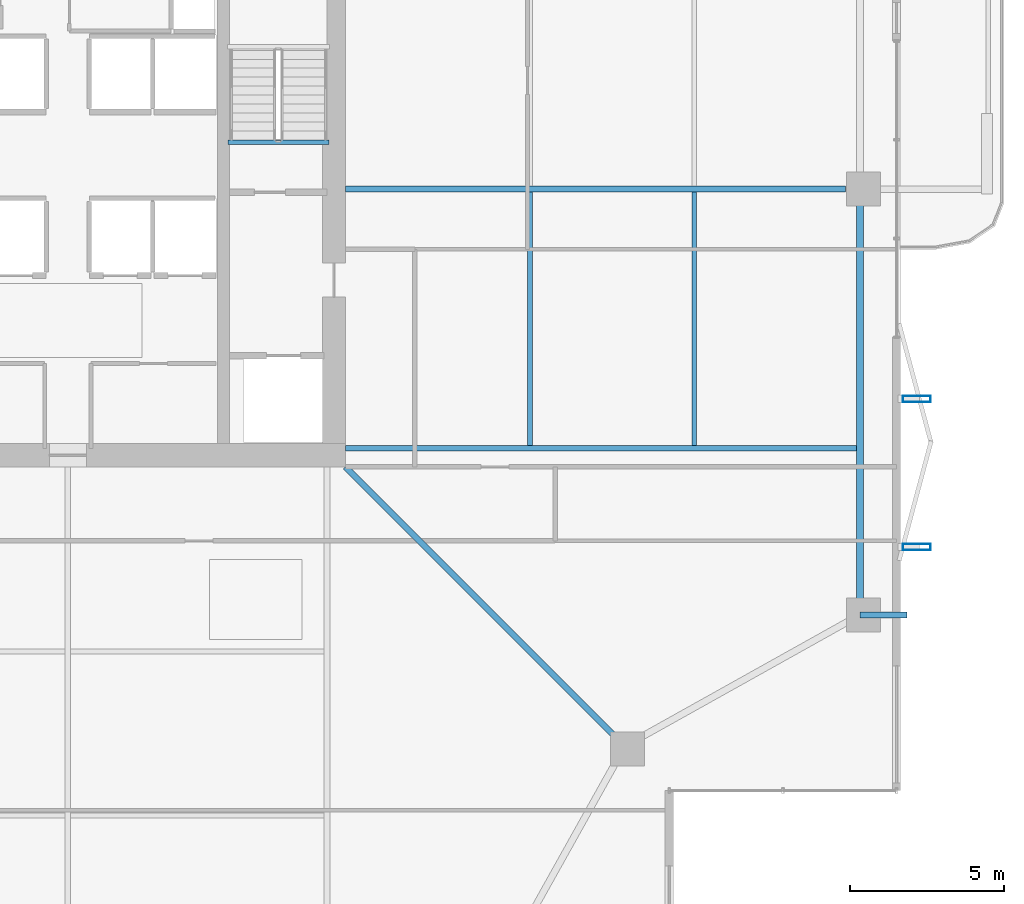
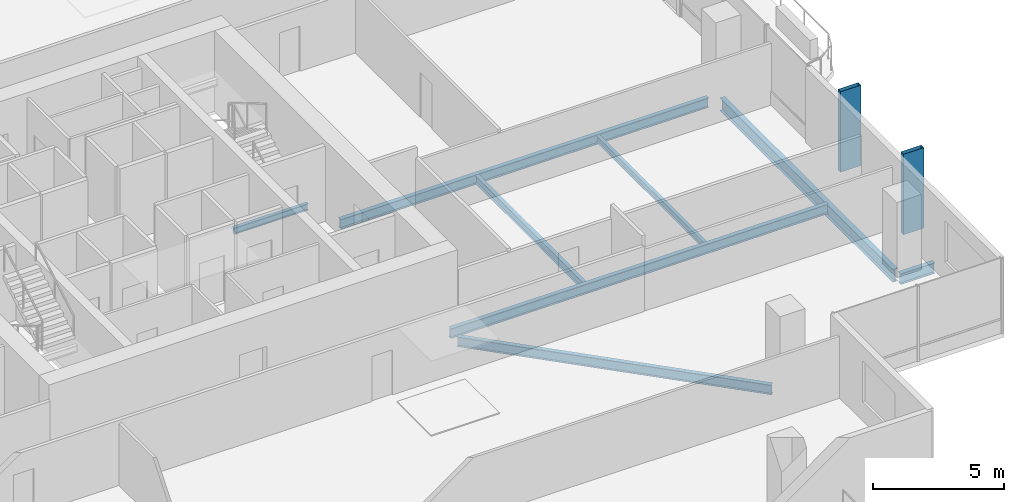
# One storey, part 10 of 29: 8 beams, 2 members.
"""IFC4 building model written with IfcOpenShell, lengths in metres."""

from ifc_helpers import new_model, si_unit, direction, frame, origin, origin_2d, place, context, subcontext, project, spatial, hollow_rectangle, i_section, extrude, material, material_profile, profile_set, type_object, element, save


model = new_model("IFC4")

# Units and contexts
model_context = context("Model", 3, precision=1e-05, world=origin(), true_north=direction((0.0, 1.0)))
body_context = subcontext(model_context, "Body", "Model", "MODEL_VIEW")
ifc_project = project(units=[si_unit("LENGTHUNIT", "METRE"), si_unit("AREAUNIT", "SQUARE_METRE"), si_unit("VOLUMEUNIT", "CUBIC_METRE"), si_unit("PLANEANGLEUNIT", "RADIAN"), si_unit("MASSUNIT", "GRAM", prefix="KILO")], contexts=[model_context])

# Site, building, storey
site_placement = place(None, origin())
site = spatial("IfcSite", under=ifc_project, at=site_placement, CompositionType="ELEMENT")
building_placement = place(site_placement, origin())
building = spatial("IfcBuilding", under=site, at=building_placement, Name="Belovzor Exchange Tower", CompositionType="ELEMENT")
storey_placement = place(building_placement, frame((0.0, 0.0, 199.949951171875)))
storey = spatial("IfcBuildingStorey", under=building, at=storey_placement, Name="L49", CompositionType="ELEMENT", Elevation=199.949951171875)

# Beams
ifc_material_1 = material(Name="Steel S355", Category="steel")
ifc_material_profile_1 = material_profile(ifc_material_1, i_section(OverallWidth=0.199951171875, OverallDepth=0.5, WebThickness=0.01025390625, FlangeThickness=0.01611328125, at=origin_2d()))
ifc_profile_set_1 = profile_set([ifc_material_profile_1], Name="Steel S355")
beam_type_1 = type_object("IfcBeamType", Name="Planted Balcony Cantilever Beam IPE 500", PredefinedType="BEAM", material=ifc_profile_set_1)
beam_1_placement = place(storey_placement, frame((54.489013671875, 15.0, -0.5), z_axis=(1.0, 0.0, 0.0), x_axis=(0.0, 1.0, 0.0)))
element("IfcBeam", 1, at=beam_1_placement, inside=storey, type_object=beam_type_1, Name="BC-500 Planted Balcony Cantilever Beam IPE 500", PredefinedType="BEAM", context=body_context, shape_type="SweptSolid", body=[
    extrude(i_section(OverallWidth=0.199951171875, OverallDepth=0.5, WebThickness=0.01025390625, FlangeThickness=0.01611328125, at=origin_2d()), origin(), (0.0, 0.0, 1.0), 1.510986328125),
])
ifc_material_2 = material(Name="Steel S355", Category="steel")
ifc_material_profile_2 = material_profile(ifc_material_2, i_section(OverallWidth=0.169921875, OverallDepth=0.360107421875, WebThickness=0.008056640625, FlangeThickness=0.0126953125, at=origin_2d()))
ifc_profile_set_2 = profile_set([ifc_material_profile_2], Name="Steel S355")
beam_type_2 = type_object("IfcBeamType", Name="Secondary Infill Floor Joist IPE 360", PredefinedType="BEAM", material=ifc_profile_set_2)
beam_2_placement = place(storey_placement, frame((43.783935546875, 20.4951171875, -0.429931640625), z_axis=(0.0, 1.0, 0.0), x_axis=(-1.0, 0.0, 0.0)))
element("IfcBeam", 2, at=beam_2_placement, inside=storey, type_object=beam_type_2, Name="FJ-360 Secondary Infill Floor Joist IPE 360", PredefinedType="BEAM", context=body_context, shape_type="SweptSolid", body=[
    extrude(i_section(OverallWidth=0.169921875, OverallDepth=0.360107421875, WebThickness=0.008056640625, FlangeThickness=0.0126953125, at=origin_2d()), origin(), (0.0, 0.0, 1.0), 8.2099609375),
])
ifc_material_3 = material(Name="Steel S355", Category="steel")
ifc_material_profile_3 = material_profile(ifc_material_3, i_section(OverallWidth=0.14990234375, OverallDepth=0.300048828125, WebThickness=0.007080078125, FlangeThickness=0.0107421875, at=origin_2d()))
ifc_profile_set_3 = profile_set([ifc_material_profile_3], Name="Steel S355")
beam_type_3 = type_object("IfcBeamType", Name="Secondary Trim Floor Joist IPE 300", PredefinedType="BEAM", material=ifc_profile_set_3)
beam_3_placement = place(storey_placement, frame((37.260009765625, 30.320068359375, -0.39990234375), z_axis=(-1.0, 0.0, 0.0), x_axis=(0.0, -1.0, 0.0)))
element("IfcBeam", 3, at=beam_3_placement, inside=storey, type_object=beam_type_3, Name="FJ-300 Secondary Trim Floor Joist IPE 300", PredefinedType="BEAM", context=body_context, shape_type="SweptSolid", body=[
    extrude(i_section(OverallWidth=0.14990234375, OverallDepth=0.300048828125, WebThickness=0.007080078125, FlangeThickness=0.0107421875, at=origin_2d()), origin(), (0.0, 0.0, 1.0), 3.27001953125),
])
beam_4_placement = place(storey_placement, frame((49.10400390625, 20.4951171875, -0.39990234375), z_axis=(0.0, 1.0, 0.0), x_axis=(-1.0, 0.0, 0.0)))
element("IfcBeam", 4, at=beam_4_placement, inside=storey, type_object=beam_type_3, Name="FJ-300 Secondary Trim Floor Joist IPE 300", PredefinedType="BEAM", context=body_context, shape_type="SweptSolid", body=[
    extrude(i_section(OverallWidth=0.14990234375, OverallDepth=0.300048828125, WebThickness=0.007080078125, FlangeThickness=0.0107421875, at=origin_2d()), origin(), (0.0, 0.0, 1.0), 8.2099609375),
])

# Members
ifc_material_4 = material(Name="Extruded Architectural Terracotta on Steel S355 Carrier", Category="masonry")
ifc_material_profile_4 = material_profile(ifc_material_4, hollow_rectangle(XDim=0.199951171875, YDim=0.89990234375, WallThickness=0.011962890625, at=origin_2d()))
ifc_profile_set_4 = profile_set([ifc_material_profile_4], Name="Extruded Architectural Terracotta on Steel S355 Carrier")
member_type = type_object("IfcMemberType", Name="Sweeping Terracotta Baguette Fin Assembly 950", PredefinedType="USERDEFINED", material=ifc_profile_set_4)
for number, where, z_axis, x_axis, name in (
    (5, (56.324951171875, 17.199951171875, -0.25), (0.0, 0.0, 1.0), (0.0, 1.0, 0.0), "FIN-TC095 Terracotta Facade Fin L49 E1"),
    (6, (56.324951171875, 22.0, -0.25), (0.0, 0.0, 1.0), (0.0, 1.0, 0.0), "FIN-TC095 Terracotta Facade Fin L49 E2"),
):
    element("IfcMember", number, at=place(storey_placement, frame(where, z_axis=z_axis, x_axis=x_axis)), inside=storey, type_object=member_type, Name=name, ObjectType="FIN", PredefinedType="USERDEFINED", context=body_context, shape_type="SweptSolid", body=[
        extrude(hollow_rectangle(XDim=0.199951171875, YDim=0.89990234375, WallThickness=0.011962890625, at=origin_2d()), origin(), (0.0, 0.0, 1.0), 3.75),
    ])

# Beams
ifc_material_5 = material(Name="Steel S355", Category="steel")
ifc_material_profile_5 = material_profile(ifc_material_5, i_section(OverallWidth=0.18994140625, OverallDepth=0.449951171875, WebThickness=0.009521484375, FlangeThickness=0.0146484375, at=origin_2d()))
ifc_profile_set_5 = profile_set([ifc_material_profile_5], Name="Steel S355")
beam_type_4 = type_object("IfcBeamType", Name="Zone 2-4 Radial Composite Floor Beam IPE 450", PredefinedType="BEAM", material=ifc_profile_set_5)
beam_5_placement = place(storey_placement, frame((37.800048828125, 20.39990234375, -0.474853515625), z_axis=(1.0, 0.0, 0.0), x_axis=(0.0, 1.0, 0.0)))
element("IfcBeam", 7, at=beam_5_placement, inside=storey, type_object=beam_type_4, Name="FB-450 Zone 2-4 Radial Composite Floor Beam IPE 450", PredefinedType="BEAM", context=body_context, shape_type="SweptSolid", body=[
    extrude(i_section(OverallWidth=0.18994140625, OverallDepth=0.449951171875, WebThickness=0.009521484375, FlangeThickness=0.0146484375, at=origin_2d()), origin(), (0.0, 0.0, 1.0), 16.623046875),
])
beam_6_placement = place(storey_placement, frame((37.800048828125, 28.800048828125, -0.474853515625), z_axis=(1.0, 0.0, 0.0), x_axis=(0.0, 1.0, 0.0)))
element("IfcBeam", 8, at=beam_6_placement, inside=storey, type_object=beam_type_4, Name="FB-450 Zone 2-4 Radial Composite Floor Beam IPE 450", PredefinedType="BEAM", context=body_context, shape_type="SweptSolid", body=[
    extrude(i_section(OverallWidth=0.18994140625, OverallDepth=0.449951171875, WebThickness=0.009521484375, FlangeThickness=0.0146484375, at=origin_2d()), origin(), (0.0, 0.0, 1.0), 16.2099609375),
])
beam_7_placement = place(storey_placement, frame((37.800048828125, 19.800048828125, -0.474853515625), z_axis=(0.707106781187, -0.707106781187, 0.0), x_axis=(0.707106781187, 0.707106781187, 0.0)))
element("IfcBeam", 9, at=beam_7_placement, inside=storey, type_object=beam_type_4, Name="FB-450 Zone 2-4 Radial Composite Floor Beam IPE 450", PredefinedType="BEAM", context=body_context, shape_type="SweptSolid", body=[
    extrude(i_section(OverallWidth=0.18994140625, OverallDepth=0.449951171875, WebThickness=0.009521484375, FlangeThickness=0.0146484375, at=origin_2d()), origin(), (0.0, 0.0, 1.0), 12.4208984375),
])
ifc_material_6 = material(Name="Steel S355", Category="steel")
ifc_material_profile_6 = material_profile(ifc_material_6, i_section(OverallWidth=0.219970703125, OverallDepth=0.60009765625, WebThickness=0.011962890625, FlangeThickness=0.01904296875, at=origin_2d()))
ifc_profile_set_6 = profile_set([ifc_material_profile_6], Name="Steel S355")
beam_type_5 = type_object("IfcBeamType", Name="Zone 4 Flare Primary Girder IPE 600", PredefinedType="BEAM", material=ifc_profile_set_6)
beam_8_placement = place(storey_placement, frame((54.47802734375, 15.302978515625, -0.550048828125), z_axis=(0.0, 1.0, 0.0), x_axis=(-1.0, 0.0, 0.0)))
element("IfcBeam", 10, at=beam_8_placement, inside=storey, type_object=beam_type_5, Name="FG-Z4 Zone 4 Flare Primary Girder IPE 600", PredefinedType="BEAM", context=body_context, shape_type="SweptSolid", body=[
    extrude(i_section(OverallWidth=0.219970703125, OverallDepth=0.60009765625, WebThickness=0.011962890625, FlangeThickness=0.01904296875, at=origin_2d()), origin(), (0.0, 0.0, 1.0), 13.195068359375),
])

save(model, "model.ifc")
